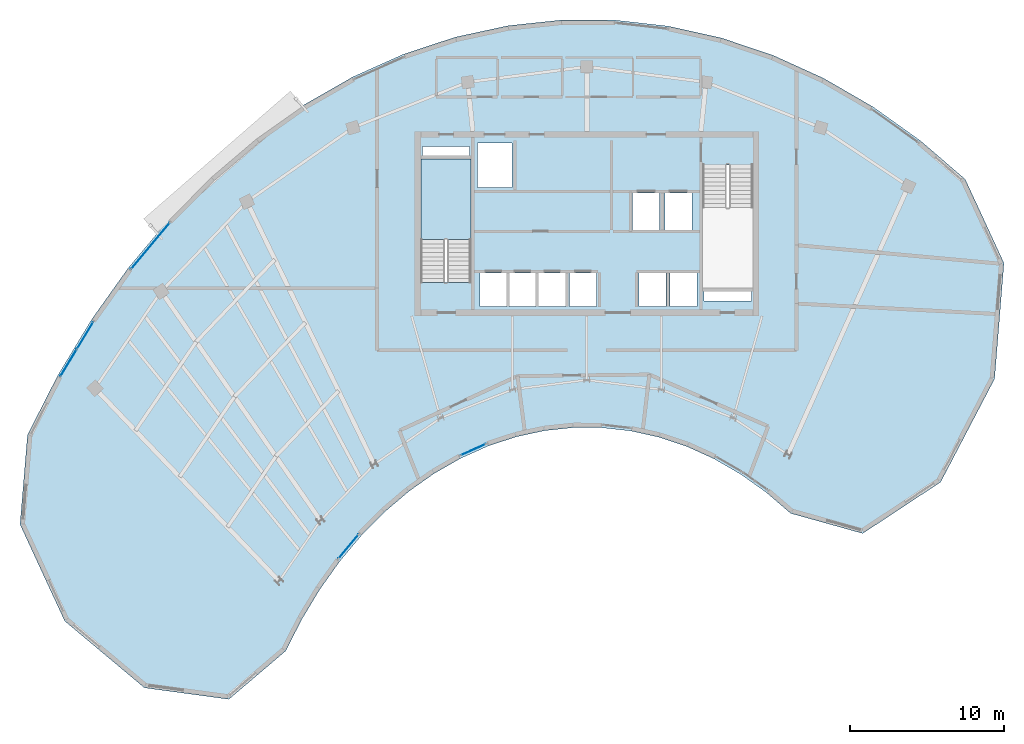
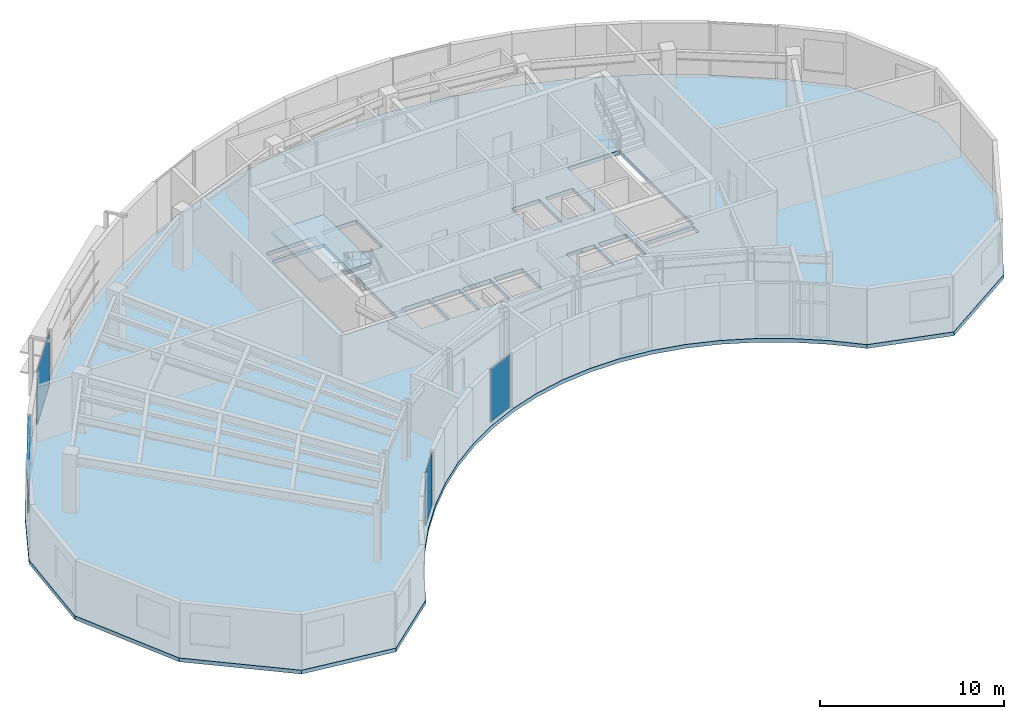
# One storey, part 6 of 12: 7 plates, 2 slabs, 5 elements without a shape of their own.
"""IFC4 building model written with IfcOpenShell, lengths in metres."""

from ifc_helpers import new_model, si_unit, direction, frame, origin, origin_2d, place, context, subcontext, project, spatial, polyline, rectangle, outline, extrude, source, transform, mapped, material, layer, layer_set, type_object, element, aggregate, save


model = new_model("IFC4")

# Units and contexts
model_context = context("Model", 3, precision=1e-05, world=origin(), true_north=direction((0.0, 1.0)))
body_context = subcontext(model_context, "Body", "Model", "MODEL_VIEW")
ifc_project = project(units=[si_unit("LENGTHUNIT", "METRE"), si_unit("AREAUNIT", "SQUARE_METRE"), si_unit("VOLUMEUNIT", "CUBIC_METRE"), si_unit("PLANEANGLEUNIT", "RADIAN"), si_unit("MASSUNIT", "GRAM", prefix="KILO")], contexts=[model_context])

# Site, building, storey
site_placement = place(None, origin())
site = spatial("IfcSite", under=ifc_project, at=site_placement, CompositionType="ELEMENT")
building_placement = place(site_placement, origin())
building = spatial("IfcBuilding", under=site, at=building_placement, Name="Breltana Convention Tower", CompositionType="ELEMENT")
storey_placement = place(building_placement, frame((0.0, 0.0, 260.10009765625)))
storey = spatial("IfcBuildingStorey", under=building, at=storey_placement, Name="L63", CompositionType="ELEMENT", Elevation=260.10009765625)

# Slab
ifc_material_1 = material(Name="Concrete C40/50", Category="concrete")
ifc_layer_1 = layer(ifc_material_1, 0.25, Name="Concrete C40/50")
ifc_layer_set_1 = layer_set([ifc_layer_1], Name="Concrete C40/50")
slab_type_1 = type_object("IfcSlabType", Name="SL-OFF-250", PredefinedType="FLOOR", material=ifc_layer_set_1)
slab_1_placement = place(storey_placement, frame((0.0, 0.0, -0.25)))
element("IfcSlab", 1, at=slab_1_placement, inside=storey, type_object=slab_type_1, Name="L63 Suspended Structural Floor Slab", PredefinedType="FLOOR", context=body_context, shape_type="SweptSolid", body=[
    extrude(outline(polyline([(72.6064453125, 69.08984375), (69.676513671875, 71.60791015625), (66.60400390625, 73.79931640625), (63.408935546875, 75.64990234375), (60.1123046875, 77.147216796875), (56.736083984375, 78.281494140625), (53.302490234375, 79.045166015625), (49.833984375, 79.43359375), (46.353271484375, 79.443603515625), (42.88330078125, 79.07568359375), (39.447021484375, 78.33203125), (36.067138671875, 77.21728515625), (32.765869140625, 75.739501953125), (29.56494140625, 73.90771484375), (26.485107421875, 71.734130859375), (23.547119140625, 69.233154296875), (20.77001953125, 66.42138671875), (18.172119140625, 63.317138671875), (15.770751953125, 59.94091796875), (13.58154296875, 56.314697265625), (11.61865234375, 52.462890625), (11.1318359375, 46.6376953125), (14.03759765625, 40.35205078125), (19.2265625, 36.00732421875), (24.71630859375, 35.262939453125), (28.41015625, 38.403076171875), (29.466796875, 40.477294921875), (30.645751953125, 42.4296875), (31.93896484375, 44.247802734375), (33.337646484375, 45.919189453125), (34.8330078125, 47.433349609375), (36.4150390625, 48.77978515625), (38.073486328125, 49.9501953125), (39.797119140625, 50.9365234375), (41.57470703125, 51.732421875), (43.39453125, 52.33251953125), (45.244873046875, 52.73291015625), (47.11328125, 52.93115234375), (48.987548828125, 52.92578125), (50.855224609375, 52.716552734375), (52.7041015625, 52.305419921875), (54.522216796875, 51.694580078125), (56.297119140625, 50.888427734375), (58.017578125, 49.891845703125), (59.672119140625, 48.7119140625), (61.24951171875, 47.35595703125), (65.941162109375, 46.047119140625), (71.009521484375, 49.388916015625), (74.51904296875, 56.10498046875), (75.12890625, 63.6298828125), (72.6064453125, 69.08984375)]), holes=[polyline([(37.199951171875, 62.385009765625), (40.469970703125, 62.385009765625), (40.469970703125, 70.39990234375), (37.199951171875, 70.39990234375), (37.199951171875, 62.385009765625)]), polyline([(55.530029296875, 62.0), (58.800048828125, 62.0), (58.800048828125, 70.014892578125), (55.530029296875, 70.014892578125), (55.530029296875, 62.0)]), polyline([(41.0400390625, 60.800048828125), (42.800048828125, 60.800048828125), (42.800048828125, 62.97998046875), (41.0400390625, 62.97998046875), (41.0400390625, 60.800048828125)]), polyline([(42.93994140625, 60.800048828125), (44.699951171875, 60.800048828125), (44.699951171875, 62.97998046875), (42.93994140625, 62.97998046875), (42.93994140625, 60.800048828125)]), polyline([(44.8701171875, 60.800048828125), (46.6298828125, 60.800048828125), (46.6298828125, 62.97998046875), (44.8701171875, 62.97998046875), (44.8701171875, 60.800048828125)]), polyline([(46.8701171875, 60.800048828125), (48.6298828125, 60.800048828125), (48.6298828125, 62.97998046875), (46.8701171875, 62.97998046875), (46.8701171875, 60.800048828125)]), polyline([(51.39990234375, 60.800048828125), (53.159912109375, 60.800048828125), (53.159912109375, 62.97998046875), (51.39990234375, 62.97998046875), (51.39990234375, 60.800048828125)]), polyline([(53.39990234375, 60.800048828125), (55.159912109375, 60.800048828125), (55.159912109375, 62.97998046875), (53.39990234375, 62.97998046875), (53.39990234375, 60.800048828125)]), polyline([(50.969970703125, 65.800048828125), (52.72998046875, 65.800048828125), (52.72998046875, 68.179931640625), (50.969970703125, 68.179931640625), (50.969970703125, 65.800048828125)]), polyline([(53.070068359375, 65.800048828125), (54.830078125, 65.800048828125), (54.830078125, 68.179931640625), (53.070068359375, 68.179931640625), (53.070068359375, 65.800048828125)]), polyline([(40.8798828125, 68.550048828125), (43.1201171875, 68.550048828125), (43.1201171875, 71.449951171875), (40.8798828125, 71.449951171875), (40.8798828125, 68.550048828125)]), polyline([(37.300048828125, 70.60009765625), (40.3798828125, 70.60009765625), (40.3798828125, 71.219970703125), (37.300048828125, 71.219970703125), (37.300048828125, 70.60009765625)]), polyline([(55.6201171875, 61.179931640625), (58.699951171875, 61.179931640625), (58.699951171875, 61.800048828125), (55.6201171875, 61.800048828125), (55.6201171875, 61.179931640625)])]), origin(), (0.0, 0.0, 1.0), 0.25),
])

# Stair, slab
stair_type = type_object("IfcStairType", Name="ST-DOG-1560-R177", PredefinedType="HALF_TURN_STAIR", material=ifc_material_1)
stair_placement = place(storey_placement, origin())
stair = element("IfcStair", 2, at=stair_placement, inside=storey, type_object=stair_type, Name="L63 Protected Core Exit Stair ST-1", PredefinedType="HALF_TURN_STAIR")
ifc_layer_2 = layer(ifc_material_1, 0.199951171875, Name="Concrete C40/50")
ifc_layer_set_2 = layer_set([ifc_layer_2], Name="Concrete C40/50")
slab_type_2 = type_object("IfcSlabType", Name="SL-STAIR-LANDING-200", PredefinedType="LANDING", material=ifc_layer_set_2)
slab_2_placement = place(storey_placement, frame((0.0, 0.0, 1.75)))
slab_2 = element("IfcSlab", 3, at=slab_2_placement, type_object=slab_type_2, Name="ST-1 landing 1", PredefinedType="LANDING", context=body_context, shape_type="SweptSolid", body=[
    extrude(outline(polyline([(40.469970703125, 65.159912109375), (40.469970703125, 70.39990234375), (37.199951171875, 70.39990234375), (37.199951171875, 65.159912109375), (40.469970703125, 65.159912109375)])), origin(), (0.0, 0.0, 1.0), 0.199951171875),
])
aggregate(stair, [slab_2])

# Curtain wall, plate
ifc_material_2 = material(Name="Aluminium Anodised Bronze Frame", Category="aluminium")
ifc_layer_3 = layer(ifc_material_2, 0.18994140625, Name="Aluminium Anodised Bronze Frame")
ifc_layer_set_3 = layer_set([ifc_layer_3], Name="Aluminium Anodised Bronze Frame")
curtain_wall_type_1 = type_object("IfcCurtainWallType", Name="CW-SYS-1", PredefinedType="NOTDEFINED", material=ifc_layer_set_3)
curtain_wall_1_placement = place(storey_placement, origin())
curtain_wall_1 = element("IfcCurtainWall", 4, at=curtain_wall_1_placement, inside=storey, type_object=curtain_wall_type_1, Name="L63 inner south-court glazing 4", PredefinedType="NOTDEFINED")
ifc_material_3 = material(Name="Glass Low-E Double Glazing", Category="glass")
ifc_layer_4 = layer(ifc_material_3, 0.028076171875, Name="Glass Low-E Double Glazing")
ifc_layer_set_4 = layer_set([ifc_layer_4], Name="Glass Low-E Double Glazing")
plate_type_1 = type_object("IfcPlateType", Name="CWP-IGU-28", PredefinedType="CURTAIN_PANEL", material=ifc_layer_set_4)
shared_shape_1 = source(origin(), body_context, "Body", "SweptSolid", [
    extrude(rectangle(XDim=1.787841796875, YDim=0.028076171875, at=origin_2d()), origin(), (0.0, 0.0, 1.0), 3.489990234375),
])
plate_1_placement = place(storey_placement, frame((40.6123046875, 51.498779296875, 0.080078125), z_axis=(0.0, 0.0, 1.0), x_axis=(-0.912700866047, -0.408628350848, 0.0)))
plate_1 = element("IfcPlate", 5, at=plate_1_placement, type_object=plate_type_1, Name="CW-01 panel 1.1", PredefinedType="CURTAIN_PANEL", context=body_context, shape_type="MappedRepresentation", body=[
    mapped(shared_shape_1, transform((0.0, 0.0, 0.0), scale=1.0)),
])
aggregate(curtain_wall_1, [plate_1])

curtain_wall_2_placement = place(storey_placement, origin())
curtain_wall_2 = element("IfcCurtainWall", 6, at=curtain_wall_2_placement, inside=storey, type_object=curtain_wall_type_1, Name="L63 inner south-court glazing 5", PredefinedType="NOTDEFINED")
shared_shape_2 = source(origin(), body_context, "Body", "SweptSolid", [
    extrude(rectangle(XDim=2.01953125, YDim=0.028076171875, at=origin_2d()), origin(), (0.0, 0.0, 1.0), 3.489990234375),
])
plate_2_placement = place(storey_placement, frame((32.500244140625, 45.198974609375, 0.080078125), z_axis=(0.0, 0.0, 1.0), x_axis=(-0.641776053432, -0.766892102738, 0.0)))
plate_2 = element("IfcPlate", 7, at=plate_2_placement, type_object=plate_type_1, Name="CW-01 panel 1.1", PredefinedType="CURTAIN_PANEL", context=body_context, shape_type="MappedRepresentation", body=[
    mapped(shared_shape_2, transform((0.0, 0.0, 0.0), scale=1.0)),
])
aggregate(curtain_wall_2, [plate_2])

# Curtain wall, plates
ifc_layer_5 = layer(ifc_material_2, 0.22998046875, Name="Aluminium Anodised Bronze Frame")
ifc_layer_set_5 = layer_set([ifc_layer_5], Name="Aluminium Anodised Bronze Frame")
curtain_wall_type_2 = type_object("IfcCurtainWallType", Name="CW-SYS-5", PredefinedType="NOTDEFINED", material=ifc_layer_set_5)
curtain_wall_3_placement = place(storey_placement, origin())
curtain_wall_3 = element("IfcCurtainWall", 8, at=curtain_wall_3_placement, inside=storey, type_object=curtain_wall_type_2, Name="L63 outer double-skin inner glazing 1", PredefinedType="NOTDEFINED")
ifc_layer_6 = layer(ifc_material_3, 0.035888671875, Name="Glass Low-E Double Glazing")
ifc_layer_set_6 = layer_set([ifc_layer_6], Name="Glass Low-E Double Glazing")
plate_type_2 = type_object("IfcPlateType", Name="CWP-IGU-36", PredefinedType="CURTAIN_PANEL", material=ifc_layer_set_6)
shared_shape_3 = source(origin(), body_context, "Body", "SweptSolid", [
    extrude(rectangle(XDim=2.00634765625, YDim=0.035888671875, at=origin_2d()), origin(), (0.0, 0.0, 1.0), 2.267578125),
])
plate_3_placement = place(storey_placement, frame((14.29345703125, 57.14599609375, 0.06982421875), z_axis=(0.0, 0.0, 1.0), x_axis=(0.516865496947, 0.85606662011, 0.0)))
plate_3 = element("IfcPlate", 9, at=plate_3_placement, type_object=plate_type_2, Name="CW-05 panel 1.1", PredefinedType="CURTAIN_PANEL", context=body_context, shape_type="MappedRepresentation", body=[
    mapped(shared_shape_3, transform((0.0, 0.0, 0.0), scale=1.0)),
])
plate_4_placement = place(storey_placement, frame((15.36669921875, 58.92333984375, 0.06982421875), z_axis=(0.0, 0.0, 1.0), x_axis=(0.516865496947, 0.85606662011, 0.0)))
plate_4 = element("IfcPlate", 10, at=plate_4_placement, type_object=plate_type_2, Name="CW-05 panel 2.1", PredefinedType="CURTAIN_PANEL", context=body_context, shape_type="MappedRepresentation", body=[
    mapped(shared_shape_3, transform((0.0, 0.0, 0.0), scale=1.0)),
])
shared_shape_4 = source(origin(), body_context, "Body", "SweptSolid", [
    extrude(rectangle(XDim=2.00634765625, YDim=0.035888671875, at=origin_2d()), origin(), (0.0, 0.0, 1.0), 1.172607421875),
])
plate_5_placement = place(storey_placement, frame((14.29345703125, 57.14599609375, 2.4072265625), z_axis=(0.0, 0.0, 1.0), x_axis=(0.516865496947, 0.85606662011, 0.0)))
plate_5 = element("IfcPlate", 11, at=plate_5_placement, type_object=plate_type_2, Name="CW-05 panel 1.2", PredefinedType="CURTAIN_PANEL", context=body_context, shape_type="MappedRepresentation", body=[
    mapped(shared_shape_4, transform((0.0, 0.0, 0.0), scale=1.0)),
])
plate_6_placement = place(storey_placement, frame((15.36669921875, 58.92333984375, 2.4072265625), z_axis=(0.0, 0.0, 1.0), x_axis=(0.516865496947, 0.85606662011, 0.0)))
plate_6 = element("IfcPlate", 12, at=plate_6_placement, type_object=plate_type_2, Name="CW-05 panel 2.2", PredefinedType="CURTAIN_PANEL", context=body_context, shape_type="MappedRepresentation", body=[
    mapped(shared_shape_4, transform((0.0, 0.0, 0.0), scale=1.0)),
])
aggregate(curtain_wall_3, [plate_3, plate_5, plate_4, plate_6])

# Curtain wall, plate
curtain_wall_4_placement = place(storey_placement, origin())
curtain_wall_4 = element("IfcCurtainWall", 13, at=curtain_wall_4_placement, inside=storey, type_object=curtain_wall_type_2, Name="L63 outer double-skin inner glazing 2", PredefinedType="NOTDEFINED")
shared_shape_5 = source(origin(), body_context, "Body", "SweptSolid", [
    extrude(rectangle(XDim=3.8935546875, YDim=0.035888671875, at=origin_2d()), origin(), (0.0, 0.0, 1.0), 3.510009765625),
])
plate_7_placement = place(storey_placement, frame((19.609130859375, 64.753662109375, 0.06982421875), z_axis=(0.0, 0.0, 1.0), x_axis=(0.641782747731, 0.766886500543, 0.0)))
plate_7 = element("IfcPlate", 14, at=plate_7_placement, type_object=plate_type_2, Name="CW-05 panel 1.1", PredefinedType="CURTAIN_PANEL", context=body_context, shape_type="MappedRepresentation", body=[
    mapped(shared_shape_5, transform((0.0, 0.0, 0.0), scale=1.0)),
])
aggregate(curtain_wall_4, [plate_7])

save(model, "model.ifc")
